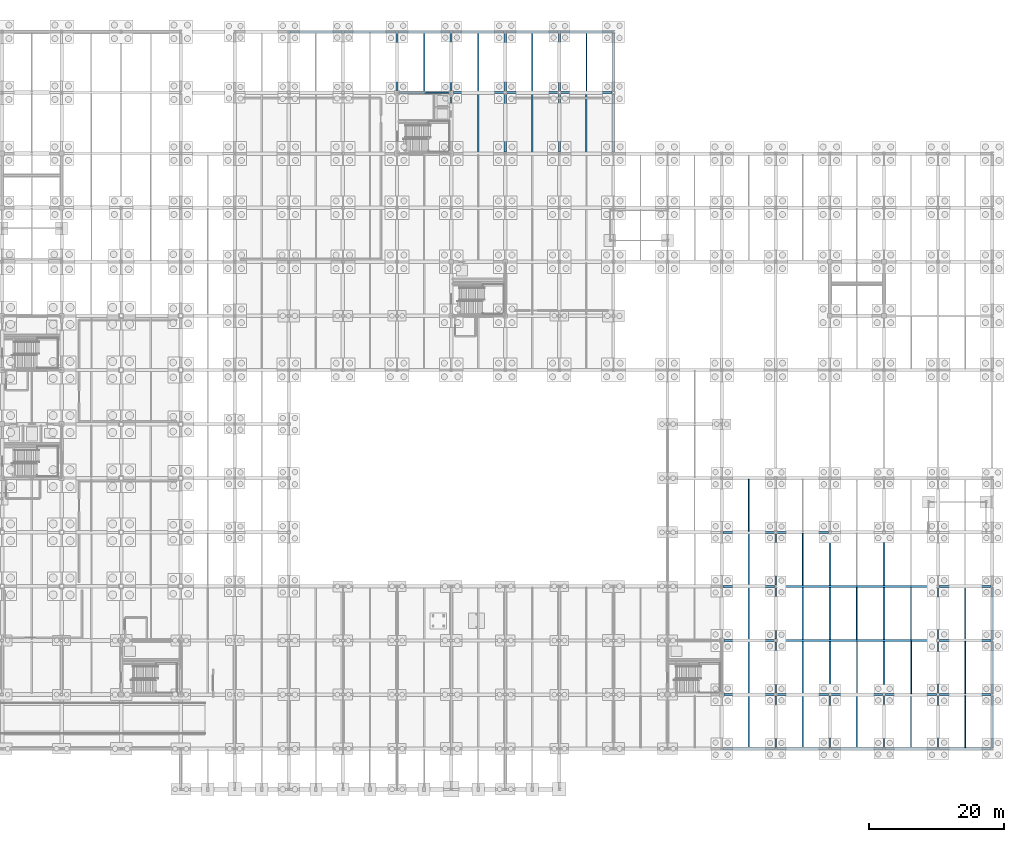
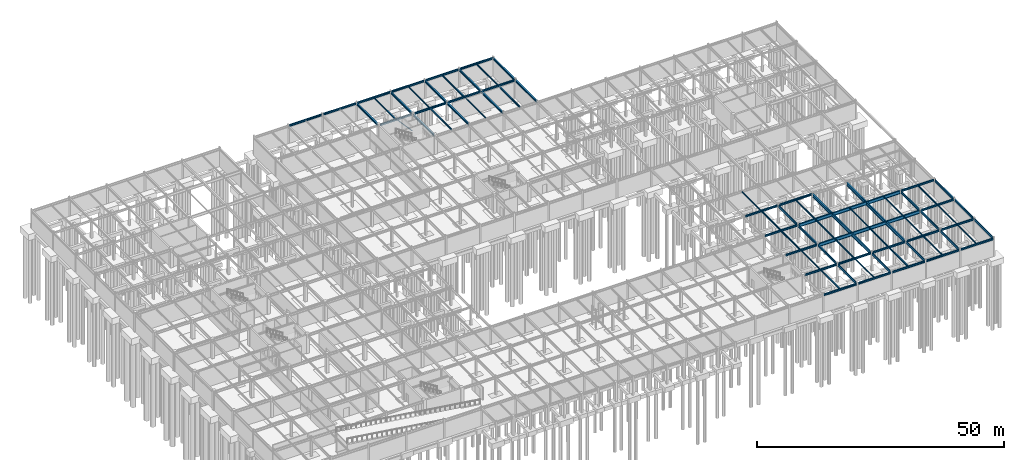
# One storey, part 39 of 72: 76 beams, 1 member.
"""IFC4 building model written with IfcOpenShell, lengths in metres."""

from ifc_helpers import new_model, si_unit, direction, frame, origin, origin_2d, place, context, subcontext, project, spatial, hollow_circle, i_section, extrude, material, material_profile, profile_set, type_object, element, save


model = new_model("IFC4")

# Units and contexts
model_context = context("Model", 3, precision=1e-05, world=origin(), true_north=direction((0.0, 1.0)))
body_context = subcontext(model_context, "Body", "Model", "MODEL_VIEW")
ifc_project = project(units=[si_unit("LENGTHUNIT", "METRE"), si_unit("AREAUNIT", "SQUARE_METRE"), si_unit("VOLUMEUNIT", "CUBIC_METRE"), si_unit("PLANEANGLEUNIT", "RADIAN"), si_unit("MASSUNIT", "GRAM", prefix="KILO")], contexts=[model_context])

# Site, building, storey
site_placement = place(None, origin())
site = spatial("IfcSite", under=ifc_project, at=site_placement, CompositionType="ELEMENT")
building_placement = place(site_placement, origin())
building = spatial("IfcBuilding", under=site, at=building_placement, Name="Zhaolan Boulevard Law Courts", CompositionType="ELEMENT")
storey_placement = place(building_placement, frame((0.0, 0.0, -4.800048828125)))
storey = spatial("IfcBuildingStorey", under=building, at=storey_placement, Name="B1", CompositionType="ELEMENT", Elevation=-4.800048828125)

# Member
ifc_material_1 = material(Name="Structural steel Q355B", Category="steel")
ifc_material_profile_1 = material_profile(ifc_material_1, hollow_circle(Radius=0.109619140625, WallThickness=0.008056640625, at=origin_2d()), Name="CHS219x8")
ifc_profile_set_1 = profile_set([ifc_material_profile_1], Name="Structural steel Q355B")
member_type = type_object("IfcMemberType", Name="BRACE CHS219", PredefinedType="BRACE", material=ifc_profile_set_1)
member_placement = place(storey_placement, frame((83.820068359375, 103.0, 0.199951171875), z_axis=(-0.662424974315, 0.0, 0.749128262318), x_axis=(0.0, -1.0, 0.0)))
element("IfcMember", 1, at=member_placement, inside=storey, type_object=member_type, Name="Core Brace BR-C1-B1-N2", PredefinedType="BRACE", context=body_context, shape_type="SweptSolid", body=[
    extrude(hollow_circle(Radius=0.109619140625, WallThickness=0.008056640625, at=origin_2d()), origin(), (0.0, 0.0, 1.0), 5.766845703125),
])

# Beams
ifc_material_2 = material(Name="Structural steel Q355B", Category="steel")
ifc_material_profile_2 = material_profile(ifc_material_2, i_section(OverallWidth=0.300048828125, OverallDepth=0.43994140625, WebThickness=0.010986328125, FlangeThickness=0.01806640625, FilletRadius=0.02001953125, at=origin_2d()), Name="HM440x300")
ifc_profile_set_2 = profile_set([ifc_material_profile_2], Name="Structural steel Q355B")
beam_type_1 = type_object("IfcBeamType", Name="GIRDER HM440", PredefinedType="BEAM", material=ifc_profile_set_2)
for number, where, z_axis, x_axis, name in (
    (2, (124.1708984375, 6.0, 4.278076171875), (1.0, 0.0, 0.0), (0.0, 1.0, 0.0), "Beam BX-L00-16-17-B"),
    (3, (132.1708984375, 6.0, 4.278076171875), (1.0, 0.0, 0.0), (0.0, 1.0, 0.0), "Beam BX-L00-17-18-B"),
    (4, (140.1708984375, 6.0, 4.278076171875), (1.0, 0.0, 0.0), (0.0, 1.0, 0.0), "Beam BX-L00-18-19-B"),
    (5, (148.1708984375, 6.0, 4.278076171875), (1.0, 0.0, 0.0), (0.0, 1.0, 0.0), "Beam BX-L00-19-20-B"),
    (6, (156.1708984375, 6.0, 4.278076171875), (1.0, 0.0, 0.0), (0.0, 1.0, 0.0), "Beam BX-L00-20-21-B"),
):
    element("IfcBeam", number, at=place(storey_placement, frame(where, z_axis=z_axis, x_axis=x_axis)), inside=storey, type_object=beam_type_1, Name=name, PredefinedType="BEAM", context=body_context, shape_type="SweptSolid", body=[
        extrude(i_section(OverallWidth=0.300048828125, OverallDepth=0.43994140625, WebThickness=0.010986328125, FlangeThickness=0.01806640625, FilletRadius=0.02001953125, at=origin_2d()), origin(), (0.0, 0.0, 1.0), 7.658203125),
    ])
beam_1_placement = place(storey_placement, frame((124.345947265625, 14.0, 4.278076171875), z_axis=(1.0, 0.0, 0.0), x_axis=(0.0, 1.0, 0.0)))
element("IfcBeam", 7, at=beam_1_placement, inside=storey, type_object=beam_type_1, Name="Beam BX-L00-16-17-C", PredefinedType="BEAM", context=body_context, shape_type="SweptSolid", body=[
    extrude(i_section(OverallWidth=0.300048828125, OverallDepth=0.43994140625, WebThickness=0.010986328125, FlangeThickness=0.01806640625, FilletRadius=0.02001953125, at=origin_2d()), origin(), (0.0, 0.0, 1.0), 7.4580078125),
])
for number, where, z_axis, x_axis, name in (
    (8, (132.196044921875, 14.0, 4.278076171875), (1.0, 0.0, 0.0), (0.0, 1.0, 0.0), "Beam BX-L00-17-18-C"),
    (9, (140.196044921875, 14.0, 4.278076171875), (1.0, 0.0, 0.0), (0.0, 1.0, 0.0), "Beam BX-L00-18-19-C"),
    (10, (148.196044921875, 14.0, 4.278076171875), (1.0, 0.0, 0.0), (0.0, 1.0, 0.0), "Beam BX-L00-19-20-C"),
):
    element("IfcBeam", number, at=place(storey_placement, frame(where, z_axis=z_axis, x_axis=x_axis)), inside=storey, type_object=beam_type_1, Name=name, PredefinedType="BEAM", context=body_context, shape_type="SweptSolid", body=[
        extrude(i_section(OverallWidth=0.300048828125, OverallDepth=0.43994140625, WebThickness=0.010986328125, FlangeThickness=0.01806640625, FilletRadius=0.02001953125, at=origin_2d()), origin(), (0.0, 0.0, 1.0), 7.60791015625),
    ])
beam_2_placement = place(storey_placement, frame((156.196044921875, 14.0, 4.278076171875), z_axis=(1.0, 0.0, 0.0), x_axis=(0.0, 1.0, 0.0)))
element("IfcBeam", 11, at=beam_2_placement, inside=storey, type_object=beam_type_1, Name="Beam BX-L00-20-21-C", PredefinedType="BEAM", context=body_context, shape_type="SweptSolid", body=[
    extrude(i_section(OverallWidth=0.300048828125, OverallDepth=0.43994140625, WebThickness=0.010986328125, FlangeThickness=0.01806640625, FilletRadius=0.02001953125, at=origin_2d()), origin(), (0.0, 0.0, 1.0), 7.633056640625),
])
beam_3_placement = place(storey_placement, frame((124.345947265625, 22.0, 4.278076171875), z_axis=(1.0, 0.0, 0.0), x_axis=(0.0, 1.0, 0.0)))
element("IfcBeam", 12, at=beam_3_placement, inside=storey, type_object=beam_type_1, Name="Beam BX-L00-16-17-D", PredefinedType="BEAM", context=body_context, shape_type="SweptSolid", body=[
    extrude(i_section(OverallWidth=0.300048828125, OverallDepth=0.43994140625, WebThickness=0.010986328125, FlangeThickness=0.01806640625, FilletRadius=0.02001953125, at=origin_2d()), origin(), (0.0, 0.0, 1.0), 7.4580078125),
])
beam_4_placement = place(storey_placement, frame((156.196044921875, 22.0, 4.278076171875), z_axis=(1.0, 0.0, 0.0), x_axis=(0.0, 1.0, 0.0)))
element("IfcBeam", 13, at=beam_4_placement, inside=storey, type_object=beam_type_1, Name="Beam BX-L00-20-21-D", PredefinedType="BEAM", context=body_context, shape_type="SweptSolid", body=[
    extrude(i_section(OverallWidth=0.300048828125, OverallDepth=0.43994140625, WebThickness=0.010986328125, FlangeThickness=0.01806640625, FilletRadius=0.02001953125, at=origin_2d()), origin(), (0.0, 0.0, 1.0), 7.633056640625),
])
for number, where, z_axis, x_axis, name in (
    (14, (124.1708984375, 30.0, 4.278076171875), (1.0, 0.0, 0.0), (0.0, 1.0, 0.0), "Beam BX-L00-16-17-E"),
    (15, (156.1708984375, 30.0, 4.278076171875), (1.0, 0.0, 0.0), (0.0, 1.0, 0.0), "Beam BX-L00-20-21-E"),
):
    element("IfcBeam", number, at=place(storey_placement, frame(where, z_axis=z_axis, x_axis=x_axis)), inside=storey, type_object=beam_type_1, Name=name, PredefinedType="BEAM", context=body_context, shape_type="SweptSolid", body=[
        extrude(i_section(OverallWidth=0.300048828125, OverallDepth=0.43994140625, WebThickness=0.010986328125, FlangeThickness=0.01806640625, FilletRadius=0.02001953125, at=origin_2d()), origin(), (0.0, 0.0, 1.0), 7.658203125),
    ])
beam_5_placement = place(storey_placement, frame((124.1708984375, 38.0, 4.278076171875), z_axis=(1.0, 0.0, 0.0), x_axis=(0.0, 1.0, 0.0)))
element("IfcBeam", 16, at=beam_5_placement, inside=storey, type_object=beam_type_1, Name="Beam BX-L00-16-17-F", PredefinedType="BEAM", context=body_context, shape_type="SweptSolid", body=[
    extrude(i_section(OverallWidth=0.300048828125, OverallDepth=0.43994140625, WebThickness=0.010986328125, FlangeThickness=0.01806640625, FilletRadius=0.02001953125, at=origin_2d()), origin(), (0.0, 0.0, 1.0), 7.633056640625),
])
beam_6_placement = place(storey_placement, frame((132.196044921875, 38.0, 4.278076171875), z_axis=(1.0, 0.0, 0.0), x_axis=(0.0, 1.0, 0.0)))
element("IfcBeam", 17, at=beam_6_placement, inside=storey, type_object=beam_type_1, Name="Beam BX-L00-17-18-F", PredefinedType="BEAM", context=body_context, shape_type="SweptSolid", body=[
    extrude(i_section(OverallWidth=0.300048828125, OverallDepth=0.43994140625, WebThickness=0.010986328125, FlangeThickness=0.01806640625, FilletRadius=0.02001953125, at=origin_2d()), origin(), (0.0, 0.0, 1.0), 7.60791015625),
])
beam_7_placement = place(storey_placement, frame((76.345947265625, 103.0, 4.278076171875), z_axis=(1.0, 0.0, 0.0), x_axis=(0.0, 1.0, 0.0)))
element("IfcBeam", 18, at=beam_7_placement, inside=storey, type_object=beam_type_1, Name="Beam BX-L00-10-11-P", PredefinedType="BEAM", context=body_context, shape_type="SweptSolid", body=[
    extrude(i_section(OverallWidth=0.300048828125, OverallDepth=0.43994140625, WebThickness=0.010986328125, FlangeThickness=0.01806640625, FilletRadius=0.02001953125, at=origin_2d()), origin(), (0.0, 0.0, 1.0), 7.30810546875),
])
beam_8_placement = place(storey_placement, frame((84.345947265625, 103.0, 4.278076171875), z_axis=(1.0, 0.0, 0.0), x_axis=(0.0, 1.0, 0.0)))
element("IfcBeam", 19, at=beam_8_placement, inside=storey, type_object=beam_type_1, Name="Beam BX-L00-11-12-P", PredefinedType="BEAM", context=body_context, shape_type="SweptSolid", body=[
    extrude(i_section(OverallWidth=0.300048828125, OverallDepth=0.43994140625, WebThickness=0.010986328125, FlangeThickness=0.01806640625, FilletRadius=0.02001953125, at=origin_2d()), origin(), (0.0, 0.0, 1.0), 7.4580078125),
])
for number, where, z_axis, x_axis, name in (
    (20, (92.196044921875, 103.0, 4.278076171875), (1.0, 0.0, 0.0), (0.0, 1.0, 0.0), "Beam BX-L00-12-13-P"),
    (21, (100.196044921875, 103.0, 4.278076171875), (1.0, 0.0, 0.0), (0.0, 1.0, 0.0), "Beam BX-L00-13-14-P"),
):
    element("IfcBeam", number, at=place(storey_placement, frame(where, z_axis=z_axis, x_axis=x_axis)), inside=storey, type_object=beam_type_1, Name=name, PredefinedType="BEAM", context=body_context, shape_type="SweptSolid", body=[
        extrude(i_section(OverallWidth=0.300048828125, OverallDepth=0.43994140625, WebThickness=0.010986328125, FlangeThickness=0.01806640625, FilletRadius=0.02001953125, at=origin_2d()), origin(), (0.0, 0.0, 1.0), 7.60791015625),
    ])
for number, where, z_axis, x_axis, name in (
    (22, (60.1708984375, 112.0, 4.278076171875), (1.0, 0.0, 0.0), (0.0, 1.0, 0.0), "Beam BX-L00-8-9-Q"),
    (23, (68.1708984375, 112.0, 4.278076171875), (1.0, 0.0, 0.0), (0.0, 1.0, 0.0), "Beam BX-L00-9-10-Q"),
    (24, (76.1708984375, 112.0, 4.278076171875), (1.0, 0.0, 0.0), (0.0, 1.0, 0.0), "Beam BX-L00-10-11-Q"),
    (25, (84.1708984375, 112.0, 4.278076171875), (1.0, 0.0, 0.0), (0.0, 1.0, 0.0), "Beam BX-L00-11-12-Q"),
    (26, (92.1708984375, 112.0, 4.278076171875), (1.0, 0.0, 0.0), (0.0, 1.0, 0.0), "Beam BX-L00-12-13-Q"),
    (27, (100.1708984375, 112.0, 4.278076171875), (1.0, 0.0, 0.0), (0.0, 1.0, 0.0), "Beam BX-L00-13-14-Q"),
):
    element("IfcBeam", number, at=place(storey_placement, frame(where, z_axis=z_axis, x_axis=x_axis)), inside=storey, type_object=beam_type_1, Name=name, PredefinedType="BEAM", context=body_context, shape_type="SweptSolid", body=[
        extrude(i_section(OverallWidth=0.300048828125, OverallDepth=0.43994140625, WebThickness=0.010986328125, FlangeThickness=0.01806640625, FilletRadius=0.02001953125, at=origin_2d()), origin(), (0.0, 0.0, 1.0), 7.658203125),
    ])
ifc_material_3 = material(Name="Structural steel Q355B", Category="steel")
ifc_material_profile_3 = material_profile(ifc_material_3, i_section(OverallWidth=0.300048828125, OverallDepth=0.48193359375, WebThickness=0.010986328125, FlangeThickness=0.014892578125, FilletRadius=0.02197265625, at=origin_2d()), Name="HM482x300")
ifc_profile_set_3 = profile_set([ifc_material_profile_3], Name="Structural steel Q355B")
beam_type_2 = type_object("IfcBeamType", Name="GIRDER HM488", PredefinedType="BEAM", material=ifc_profile_set_3)
beam_9_placement = place(storey_placement, frame((76.0, 103.345947265625, 4.257080078125), z_axis=(0.0, 1.0, 0.0), x_axis=(-1.0, 0.0, 0.0)))
element("IfcBeam", 28, at=beam_9_placement, inside=storey, type_object=beam_type_2, Name="Beam BY-L00-10-P-Q", PredefinedType="BEAM", context=body_context, shape_type="SweptSolid", body=[
    extrude(i_section(OverallWidth=0.300048828125, OverallDepth=0.48193359375, WebThickness=0.010986328125, FlangeThickness=0.014892578125, FilletRadius=0.02197265625, at=origin_2d()), origin(), (0.0, 0.0, 1.0), 8.483154296875),
])
beam_10_placement = place(storey_placement, frame((84.0, 94.345947265625, 4.257080078125), z_axis=(0.0, 1.0, 0.0), x_axis=(-1.0, 0.0, 0.0)))
element("IfcBeam", 29, at=beam_10_placement, inside=storey, type_object=beam_type_2, Name="Beam BY-L00-11-N-P", PredefinedType="BEAM", context=body_context, shape_type="SweptSolid", body=[
    extrude(i_section(OverallWidth=0.300048828125, OverallDepth=0.48193359375, WebThickness=0.010986328125, FlangeThickness=0.014892578125, FilletRadius=0.02197265625, at=origin_2d()), origin(), (0.0, 0.0, 1.0), 8.30810546875),
])
beam_11_placement = place(storey_placement, frame((84.0, 103.345947265625, 4.257080078125), z_axis=(0.0, 1.0, 0.0), x_axis=(-1.0, 0.0, 0.0)))
element("IfcBeam", 30, at=beam_11_placement, inside=storey, type_object=beam_type_2, Name="Beam BY-L00-11-P-Q", PredefinedType="BEAM", context=body_context, shape_type="SweptSolid", body=[
    extrude(i_section(OverallWidth=0.300048828125, OverallDepth=0.48193359375, WebThickness=0.010986328125, FlangeThickness=0.014892578125, FilletRadius=0.02197265625, at=origin_2d()), origin(), (0.0, 0.0, 1.0), 8.483154296875),
])
beam_12_placement = place(storey_placement, frame((92.0, 94.196044921875, 4.257080078125), z_axis=(0.0, 1.0, 0.0), x_axis=(-1.0, 0.0, 0.0)))
element("IfcBeam", 31, at=beam_12_placement, inside=storey, type_object=beam_type_2, Name="Beam BY-L00-12-N-P", PredefinedType="BEAM", context=body_context, shape_type="SweptSolid", body=[
    extrude(i_section(OverallWidth=0.300048828125, OverallDepth=0.48193359375, WebThickness=0.010986328125, FlangeThickness=0.014892578125, FilletRadius=0.02197265625, at=origin_2d()), origin(), (0.0, 0.0, 1.0), 8.60791015625),
])
beam_13_placement = place(storey_placement, frame((92.0, 103.196044921875, 4.257080078125), z_axis=(0.0, 1.0, 0.0), x_axis=(-1.0, 0.0, 0.0)))
element("IfcBeam", 32, at=beam_13_placement, inside=storey, type_object=beam_type_2, Name="Beam BY-L00-12-P-Q", PredefinedType="BEAM", context=body_context, shape_type="SweptSolid", body=[
    extrude(i_section(OverallWidth=0.300048828125, OverallDepth=0.48193359375, WebThickness=0.010986328125, FlangeThickness=0.014892578125, FilletRadius=0.02197265625, at=origin_2d()), origin(), (0.0, 0.0, 1.0), 8.633056640625),
])
beam_14_placement = place(storey_placement, frame((100.0, 94.196044921875, 4.257080078125), z_axis=(0.0, 1.0, 0.0), x_axis=(-1.0, 0.0, 0.0)))
element("IfcBeam", 33, at=beam_14_placement, inside=storey, type_object=beam_type_2, Name="Beam BY-L00-13-N-P", PredefinedType="BEAM", context=body_context, shape_type="SweptSolid", body=[
    extrude(i_section(OverallWidth=0.300048828125, OverallDepth=0.48193359375, WebThickness=0.010986328125, FlangeThickness=0.014892578125, FilletRadius=0.02197265625, at=origin_2d()), origin(), (0.0, 0.0, 1.0), 8.60791015625),
])
beam_15_placement = place(storey_placement, frame((100.0, 103.196044921875, 4.257080078125), z_axis=(0.0, 1.0, 0.0), x_axis=(-1.0, 0.0, 0.0)))
element("IfcBeam", 34, at=beam_15_placement, inside=storey, type_object=beam_type_2, Name="Beam BY-L00-13-P-Q", PredefinedType="BEAM", context=body_context, shape_type="SweptSolid", body=[
    extrude(i_section(OverallWidth=0.300048828125, OverallDepth=0.48193359375, WebThickness=0.010986328125, FlangeThickness=0.014892578125, FilletRadius=0.02197265625, at=origin_2d()), origin(), (0.0, 0.0, 1.0), 8.633056640625),
])
beam_16_placement = place(storey_placement, frame((108.0, 94.196044921875, 4.257080078125), z_axis=(0.0, 1.0, 0.0), x_axis=(-1.0, 0.0, 0.0)))
element("IfcBeam", 35, at=beam_16_placement, inside=storey, type_object=beam_type_2, Name="Beam BY-L00-14-N-P", PredefinedType="BEAM", context=body_context, shape_type="SweptSolid", body=[
    extrude(i_section(OverallWidth=0.300048828125, OverallDepth=0.48193359375, WebThickness=0.010986328125, FlangeThickness=0.014892578125, FilletRadius=0.02197265625, at=origin_2d()), origin(), (0.0, 0.0, 1.0), 8.60791015625),
])
beam_17_placement = place(storey_placement, frame((108.0, 103.196044921875, 4.257080078125), z_axis=(0.0, 1.0, 0.0), x_axis=(-1.0, 0.0, 0.0)))
element("IfcBeam", 36, at=beam_17_placement, inside=storey, type_object=beam_type_2, Name="Beam BY-L00-14-P-Q", PredefinedType="BEAM", context=body_context, shape_type="SweptSolid", body=[
    extrude(i_section(OverallWidth=0.300048828125, OverallDepth=0.48193359375, WebThickness=0.010986328125, FlangeThickness=0.014892578125, FilletRadius=0.02197265625, at=origin_2d()), origin(), (0.0, 0.0, 1.0), 8.633056640625),
])
ifc_material_4 = material(Name="Structural steel Q355B", Category="steel")
ifc_material_profile_4 = material_profile(ifc_material_4, i_section(OverallWidth=0.199951171875, OverallDepth=0.60009765625, WebThickness=0.010986328125, FlangeThickness=0.01708984375, FilletRadius=0.02001953125, at=origin_2d()), Name="HN600x200")
ifc_profile_set_4 = profile_set([ifc_material_profile_4], Name="Structural steel Q355B")
beam_type_3 = type_object("IfcBeamType", Name="GIRDER HN600", PredefinedType="BEAM", material=ifc_profile_set_4)
beam_18_placement = place(storey_placement, frame((132.0, 6.1708984375, 4.197998046875), z_axis=(0.0, 1.0, 0.0), x_axis=(-1.0, 0.0, 0.0)))
element("IfcBeam", 37, at=beam_18_placement, inside=storey, type_object=beam_type_3, Name="Beam BY-L00-17-B-C", PredefinedType="BEAM", context=body_context, shape_type="SweptSolid", body=[
    extrude(i_section(OverallWidth=0.199951171875, OverallDepth=0.60009765625, WebThickness=0.010986328125, FlangeThickness=0.01708984375, FilletRadius=0.02001953125, at=origin_2d()), origin(), (0.0, 0.0, 1.0), 7.633056640625),
])
beam_19_placement = place(storey_placement, frame((132.0, 14.196044921875, 4.197998046875), z_axis=(0.0, 1.0, 0.0), x_axis=(-1.0, 0.0, 0.0)))
element("IfcBeam", 38, at=beam_19_placement, inside=storey, type_object=beam_type_3, Name="Beam BY-L00-17-C-D", PredefinedType="BEAM", context=body_context, shape_type="SweptSolid", body=[
    extrude(i_section(OverallWidth=0.199951171875, OverallDepth=0.60009765625, WebThickness=0.010986328125, FlangeThickness=0.01708984375, FilletRadius=0.02001953125, at=origin_2d()), origin(), (0.0, 0.0, 1.0), 7.60791015625),
])
for number, where, z_axis, x_axis, name in (
    (39, (132.0, 22.196044921875, 4.197998046875), (0.0, 1.0, 0.0), (-1.0, 0.0, 0.0), "Beam BY-L00-17-D-E"),
    (40, (132.0, 30.1708984375, 4.197998046875), (0.0, 1.0, 0.0), (-1.0, 0.0, 0.0), "Beam BY-L00-17-E-F"),
    (41, (140.0, 6.1708984375, 4.197998046875), (0.0, 1.0, 0.0), (-1.0, 0.0, 0.0), "Beam BY-L00-18-B-C"),
    (42, (148.0, 6.1708984375, 4.197998046875), (0.0, 1.0, 0.0), (-1.0, 0.0, 0.0), "Beam BY-L00-19-B-C"),
    (43, (156.0, 6.1708984375, 4.197998046875), (0.0, 1.0, 0.0), (-1.0, 0.0, 0.0), "Beam BY-L00-20-B-C"),
):
    element("IfcBeam", number, at=place(storey_placement, frame(where, z_axis=z_axis, x_axis=x_axis)), inside=storey, type_object=beam_type_3, Name=name, PredefinedType="BEAM", context=body_context, shape_type="SweptSolid", body=[
        extrude(i_section(OverallWidth=0.199951171875, OverallDepth=0.60009765625, WebThickness=0.010986328125, FlangeThickness=0.01708984375, FilletRadius=0.02001953125, at=origin_2d()), origin(), (0.0, 0.0, 1.0), 7.633056640625),
    ])
beam_20_placement = place(storey_placement, frame((156.0, 14.196044921875, 4.197998046875), z_axis=(0.0, 1.0, 0.0), x_axis=(-1.0, 0.0, 0.0)))
element("IfcBeam", 44, at=beam_20_placement, inside=storey, type_object=beam_type_3, Name="Beam BY-L00-20-C-D", PredefinedType="BEAM", context=body_context, shape_type="SweptSolid", body=[
    extrude(i_section(OverallWidth=0.199951171875, OverallDepth=0.60009765625, WebThickness=0.010986328125, FlangeThickness=0.01708984375, FilletRadius=0.02001953125, at=origin_2d()), origin(), (0.0, 0.0, 1.0), 7.60791015625),
])
beam_21_placement = place(storey_placement, frame((156.0, 22.196044921875, 4.197998046875), z_axis=(0.0, 1.0, 0.0), x_axis=(-1.0, 0.0, 0.0)))
element("IfcBeam", 45, at=beam_21_placement, inside=storey, type_object=beam_type_3, Name="Beam BY-L00-20-D-E", PredefinedType="BEAM", context=body_context, shape_type="SweptSolid", body=[
    extrude(i_section(OverallWidth=0.199951171875, OverallDepth=0.60009765625, WebThickness=0.010986328125, FlangeThickness=0.01708984375, FilletRadius=0.02001953125, at=origin_2d()), origin(), (0.0, 0.0, 1.0), 7.633056640625),
])
for number, where, z_axis, x_axis, name in (
    (46, (164.0, 6.1708984375, 4.197998046875), (0.0, 1.0, 0.0), (-1.0, 0.0, 0.0), "Beam BY-L00-21-B-C"),
    (47, (164.0, 14.1708984375, 4.197998046875), (0.0, 1.0, 0.0), (-1.0, 0.0, 0.0), "Beam BY-L00-21-C-D"),
    (48, (164.0, 22.1708984375, 4.197998046875), (0.0, 1.0, 0.0), (-1.0, 0.0, 0.0), "Beam BY-L00-21-D-E"),
):
    element("IfcBeam", number, at=place(storey_placement, frame(where, z_axis=z_axis, x_axis=x_axis)), inside=storey, type_object=beam_type_3, Name=name, PredefinedType="BEAM", context=body_context, shape_type="SweptSolid", body=[
        extrude(i_section(OverallWidth=0.199951171875, OverallDepth=0.60009765625, WebThickness=0.010986328125, FlangeThickness=0.01708984375, FilletRadius=0.02001953125, at=origin_2d()), origin(), (0.0, 0.0, 1.0), 7.658203125),
    ])
ifc_material_5 = material(Name="Structural steel Q390B", Category="steel")
ifc_material_profile_5 = material_profile(ifc_material_5, i_section(OverallWidth=0.300048828125, OverallDepth=0.800048828125, WebThickness=0.013916015625, FlangeThickness=0.02587890625, FilletRadius=0.02392578125, at=origin_2d()), Name="HN800x300")
ifc_profile_set_5 = profile_set([ifc_material_profile_5], Name="Structural steel Q390B")
beam_type_4 = type_object("IfcBeamType", Name="GIRDER HN800", PredefinedType="BEAM", material=ifc_profile_set_5)
beam_22_placement = place(storey_placement, frame((132.196044921875, 22.0, 4.09814453125), z_axis=(1.0, 0.0, 0.0), x_axis=(0.0, 1.0, 0.0)))
element("IfcBeam", 49, at=beam_22_placement, inside=storey, type_object=beam_type_4, Name="Beam BX-L00-17-20-D", PredefinedType="BEAM", context=body_context, shape_type="SweptSolid", body=[
    extrude(i_section(OverallWidth=0.300048828125, OverallDepth=0.800048828125, WebThickness=0.013916015625, FlangeThickness=0.02587890625, FilletRadius=0.02392578125, at=origin_2d()), origin(), (0.0, 0.0, 1.0), 23.60791015625),
])
beam_23_placement = place(storey_placement, frame((132.1708984375, 30.0, 4.09814453125), z_axis=(1.0, 0.0, 0.0), x_axis=(0.0, 1.0, 0.0)))
element("IfcBeam", 50, at=beam_23_placement, inside=storey, type_object=beam_type_4, Name="Beam BX-L00-17-20-E", PredefinedType="BEAM", context=body_context, shape_type="SweptSolid", body=[
    extrude(i_section(OverallWidth=0.300048828125, OverallDepth=0.800048828125, WebThickness=0.013916015625, FlangeThickness=0.02587890625, FilletRadius=0.02392578125, at=origin_2d()), origin(), (0.0, 0.0, 1.0), 23.658203125),
])
for number, where, z_axis, x_axis, name in (
    (51, (140.0, 14.196044921875, 4.09814453125), (0.0, 1.0, 0.0), (-1.0, 0.0, 0.0), "Beam BY-L00-18-C-F"),
    (52, (148.0, 14.196044921875, 4.09814453125), (0.0, 1.0, 0.0), (-1.0, 0.0, 0.0), "Beam BY-L00-19-C-F"),
):
    element("IfcBeam", number, at=place(storey_placement, frame(where, z_axis=z_axis, x_axis=x_axis)), inside=storey, type_object=beam_type_4, Name=name, PredefinedType="BEAM", context=body_context, shape_type="SweptSolid", body=[
        extrude(i_section(OverallWidth=0.300048828125, OverallDepth=0.800048828125, WebThickness=0.013916015625, FlangeThickness=0.02587890625, FilletRadius=0.02392578125, at=origin_2d()), origin(), (0.0, 0.0, 1.0), 23.60791015625),
    ])
ifc_material_6 = material(Name="Structural steel Q355B", Category="steel")
ifc_material_profile_6 = material_profile(ifc_material_6, i_section(OverallWidth=0.175048828125, OverallDepth=0.243896484375, WebThickness=0.007080078125, FlangeThickness=0.010986328125, FilletRadius=0.012939453125, at=origin_2d()), Name="HM244x175")
ifc_profile_set_6 = profile_set([ifc_material_profile_6], Name="Structural steel Q355B")
beam_type_5 = type_object("IfcBeamType", Name="JOIST HM244", PredefinedType="JOIST", material=ifc_profile_set_6)
for number, where, z_axis, x_axis, name in (
    (53, (88.0, 103.14599609375, 4.3759765625), (0.0, 1.0, 0.0), (-1.0, 0.0, 0.0), "Composite Joist J-L00-11P"),
    (54, (96.0, 94.14599609375, 4.3759765625), (0.0, 1.0, 0.0), (-1.0, 0.0, 0.0), "Composite Joist J-L00-12N"),
):
    element("IfcBeam", number, at=place(storey_placement, frame(where, z_axis=z_axis, x_axis=x_axis)), inside=storey, type_object=beam_type_5, Name=name, PredefinedType="JOIST", context=body_context, shape_type="SweptSolid", body=[
        extrude(i_section(OverallWidth=0.175048828125, OverallDepth=0.243896484375, WebThickness=0.007080078125, FlangeThickness=0.010986328125, FilletRadius=0.012939453125, at=origin_2d()), origin(), (0.0, 0.0, 1.0), 8.7080078125),
    ])
for number, where, z_axis, x_axis, name in (
    (55, (128.0, 14.14599609375, 4.3759765625), (0.0, 1.0, 0.0), (-1.0, 0.0, 0.0), "Composite Joist J-L00-16C"),
    (56, (136.0, 6.14599609375, 4.3759765625), (0.0, 1.0, 0.0), (-1.0, 0.0, 0.0), "Composite Joist J-L00-17B"),
):
    element("IfcBeam", number, at=place(storey_placement, frame(where, z_axis=z_axis, x_axis=x_axis)), inside=storey, type_object=beam_type_5, Name=name, PredefinedType="JOIST", context=body_context, shape_type="SweptSolid", body=[
        extrude(i_section(OverallWidth=0.175048828125, OverallDepth=0.243896484375, WebThickness=0.007080078125, FlangeThickness=0.010986328125, FilletRadius=0.012939453125, at=origin_2d()), origin(), (0.0, 0.0, 1.0), 7.7080078125),
    ])
ifc_material_7 = material(Name="Structural steel Q355B", Category="steel")
ifc_material_profile_7 = material_profile(ifc_material_7, i_section(OverallWidth=0.199951171875, OverallDepth=0.2939453125, WebThickness=0.008056640625, FlangeThickness=0.011962890625, FilletRadius=0.01611328125, at=origin_2d()), Name="HM294x200")
ifc_profile_set_7 = profile_set([ifc_material_profile_7], Name="Structural steel Q355B")
beam_type_6 = type_object("IfcBeamType", Name="JOIST HM294", PredefinedType="JOIST", material=ifc_profile_set_7)
for number, where, z_axis, x_axis, name in (
    (57, (80.0, 103.14599609375, 4.35107421875), (0.0, 1.0, 0.0), (-1.0, 0.0, 0.0), "Composite Joist J-L00-10P"),
    (58, (88.0, 94.14599609375, 4.35107421875), (0.0, 1.0, 0.0), (-1.0, 0.0, 0.0), "Composite Joist J-L00-11N"),
):
    element("IfcBeam", number, at=place(storey_placement, frame(where, z_axis=z_axis, x_axis=x_axis)), inside=storey, type_object=beam_type_6, Name=name, PredefinedType="JOIST", context=body_context, shape_type="SweptSolid", body=[
        extrude(i_section(OverallWidth=0.199951171875, OverallDepth=0.2939453125, WebThickness=0.008056640625, FlangeThickness=0.011962890625, FilletRadius=0.01611328125, at=origin_2d()), origin(), (0.0, 0.0, 1.0), 8.7080078125),
    ])
for number, where, z_axis, x_axis, name in (
    (59, (128.0, 6.14599609375, 4.35107421875), (0.0, 1.0, 0.0), (-1.0, 0.0, 0.0), "Composite Joist J-L00-16B"),
    (60, (160.0, 22.14599609375, 4.35107421875), (0.0, 1.0, 0.0), (-1.0, 0.0, 0.0), "Composite Joist J-L00-20D"),
):
    element("IfcBeam", number, at=place(storey_placement, frame(where, z_axis=z_axis, x_axis=x_axis)), inside=storey, type_object=beam_type_6, Name=name, PredefinedType="JOIST", context=body_context, shape_type="SweptSolid", body=[
        extrude(i_section(OverallWidth=0.199951171875, OverallDepth=0.2939453125, WebThickness=0.008056640625, FlangeThickness=0.011962890625, FilletRadius=0.01611328125, at=origin_2d()), origin(), (0.0, 0.0, 1.0), 7.7080078125),
    ])
ifc_material_8 = material(Name="Structural steel Q355B", Category="steel")
ifc_material_profile_8 = material_profile(ifc_material_8, i_section(OverallWidth=0.125, OverallDepth=0.25, WebThickness=0.006103515625, FlangeThickness=0.009033203125, FilletRadius=0.010009765625, at=origin_2d()), Name="HN250x125")
ifc_profile_set_8 = profile_set([ifc_material_profile_8], Name="Structural steel Q355B")
beam_type_7 = type_object("IfcBeamType", Name="JOIST HN250", PredefinedType="JOIST", material=ifc_profile_set_8)
for number, where, z_axis, x_axis, name in (
    (61, (152.0, 22.14599609375, 4.373046875), (0.0, 1.0, 0.0), (-1.0, 0.0, 0.0), "Composite Joist J-L00-19D"),
    (62, (160.0, 14.14599609375, 4.373046875), (0.0, 1.0, 0.0), (-1.0, 0.0, 0.0), "Composite Joist J-L00-20C"),
):
    element("IfcBeam", number, at=place(storey_placement, frame(where, z_axis=z_axis, x_axis=x_axis)), inside=storey, type_object=beam_type_7, Name=name, PredefinedType="JOIST", context=body_context, shape_type="SweptSolid", body=[
        extrude(i_section(OverallWidth=0.125, OverallDepth=0.25, WebThickness=0.006103515625, FlangeThickness=0.009033203125, FilletRadius=0.010009765625, at=origin_2d()), origin(), (0.0, 0.0, 1.0), 7.7080078125),
    ])
ifc_material_9 = material(Name="Structural steel Q355B", Category="steel")
ifc_material_profile_9 = material_profile(ifc_material_9, i_section(OverallWidth=0.14990234375, OverallDepth=0.300048828125, WebThickness=0.006591796875, FlangeThickness=0.009033203125, FilletRadius=0.010986328125, at=origin_2d()), Name="HN300x150")
ifc_profile_set_9 = profile_set([ifc_material_profile_9], Name="Structural steel Q355B")
beam_type_8 = type_object("IfcBeamType", Name="JOIST HN300", PredefinedType="JOIST", material=ifc_profile_set_9)
for number, where, z_axis, x_axis, name in (
    (63, (128.0, 38.14599609375, 4.34814453125), (0.0, 1.0, 0.0), (-1.0, 0.0, 0.0), "Composite Joist J-L00-16F"),
    (64, (136.0, 30.14599609375, 4.34814453125), (0.0, 1.0, 0.0), (-1.0, 0.0, 0.0), "Composite Joist J-L00-17E"),
    (65, (144.0, 22.14599609375, 4.34814453125), (0.0, 1.0, 0.0), (-1.0, 0.0, 0.0), "Composite Joist J-L00-18D"),
    (66, (152.0, 14.14599609375, 4.34814453125), (0.0, 1.0, 0.0), (-1.0, 0.0, 0.0), "Composite Joist J-L00-19C"),
    (67, (160.0, 6.14599609375, 4.34814453125), (0.0, 1.0, 0.0), (-1.0, 0.0, 0.0), "Composite Joist J-L00-20B"),
):
    element("IfcBeam", number, at=place(storey_placement, frame(where, z_axis=z_axis, x_axis=x_axis)), inside=storey, type_object=beam_type_8, Name=name, PredefinedType="JOIST", context=body_context, shape_type="SweptSolid", body=[
        extrude(i_section(OverallWidth=0.14990234375, OverallDepth=0.300048828125, WebThickness=0.006591796875, FlangeThickness=0.009033203125, FilletRadius=0.010986328125, at=origin_2d()), origin(), (0.0, 0.0, 1.0), 7.7080078125),
    ])
ifc_material_10 = material(Name="Structural steel Q355B", Category="steel")
ifc_material_profile_10 = material_profile(ifc_material_10, i_section(OverallWidth=0.175048828125, OverallDepth=0.35009765625, WebThickness=0.007080078125, FlangeThickness=0.010986328125, FilletRadius=0.012939453125, at=origin_2d()), Name="HN350x175")
ifc_profile_set_10 = profile_set([ifc_material_profile_10], Name="Structural steel Q355B")
beam_type_9 = type_object("IfcBeamType", Name="JOIST HN350", PredefinedType="JOIST", material=ifc_profile_set_10)
beam_24_placement = place(storey_placement, frame((104.0, 103.14599609375, 4.322998046875), z_axis=(0.0, 1.0, 0.0), x_axis=(-1.0, 0.0, 0.0)))
element("IfcBeam", 68, at=beam_24_placement, inside=storey, type_object=beam_type_9, Name="Composite Joist J-L00-13P", PredefinedType="JOIST", context=body_context, shape_type="SweptSolid", body=[
    extrude(i_section(OverallWidth=0.175048828125, OverallDepth=0.35009765625, WebThickness=0.007080078125, FlangeThickness=0.010986328125, FilletRadius=0.012939453125, at=origin_2d()), origin(), (0.0, 0.0, 1.0), 8.7080078125),
])
for number, where, z_axis, x_axis, name in (
    (69, (128.0, 30.14599609375, 4.322998046875), (0.0, 1.0, 0.0), (-1.0, 0.0, 0.0), "Composite Joist J-L00-16E"),
    (70, (136.0, 22.14599609375, 4.322998046875), (0.0, 1.0, 0.0), (-1.0, 0.0, 0.0), "Composite Joist J-L00-17D"),
    (71, (144.0, 14.14599609375, 4.322998046875), (0.0, 1.0, 0.0), (-1.0, 0.0, 0.0), "Composite Joist J-L00-18C"),
    (72, (152.0, 6.14599609375, 4.322998046875), (0.0, 1.0, 0.0), (-1.0, 0.0, 0.0), "Composite Joist J-L00-19B"),
):
    element("IfcBeam", number, at=place(storey_placement, frame(where, z_axis=z_axis, x_axis=x_axis)), inside=storey, type_object=beam_type_9, Name=name, PredefinedType="JOIST", context=body_context, shape_type="SweptSolid", body=[
        extrude(i_section(OverallWidth=0.175048828125, OverallDepth=0.35009765625, WebThickness=0.007080078125, FlangeThickness=0.010986328125, FilletRadius=0.012939453125, at=origin_2d()), origin(), (0.0, 0.0, 1.0), 7.7080078125),
    ])
ifc_material_11 = material(Name="Structural steel Q355B", Category="steel")
ifc_material_profile_11 = material_profile(ifc_material_11, i_section(OverallWidth=0.199951171875, OverallDepth=0.39990234375, WebThickness=0.008056640625, FlangeThickness=0.012939453125, FilletRadius=0.013916015625, at=origin_2d()), Name="HN400x200")
ifc_profile_set_11 = profile_set([ifc_material_profile_11], Name="Structural steel Q355B")
beam_type_10 = type_object("IfcBeamType", Name="JOIST HN400", PredefinedType="JOIST", material=ifc_profile_set_11)
for number, where, z_axis, x_axis, name in (
    (73, (96.0, 103.14599609375, 4.298095703125), (0.0, 1.0, 0.0), (-1.0, 0.0, 0.0), "Composite Joist J-L00-12P"),
    (74, (104.0, 94.14599609375, 4.298095703125), (0.0, 1.0, 0.0), (-1.0, 0.0, 0.0), "Composite Joist J-L00-13N"),
):
    element("IfcBeam", number, at=place(storey_placement, frame(where, z_axis=z_axis, x_axis=x_axis)), inside=storey, type_object=beam_type_10, Name=name, PredefinedType="JOIST", context=body_context, shape_type="SweptSolid", body=[
        extrude(i_section(OverallWidth=0.199951171875, OverallDepth=0.39990234375, WebThickness=0.008056640625, FlangeThickness=0.012939453125, FilletRadius=0.013916015625, at=origin_2d()), origin(), (0.0, 0.0, 1.0), 8.7080078125),
    ])
for number, where, z_axis, x_axis, name in (
    (75, (128.0, 22.14599609375, 4.298095703125), (0.0, 1.0, 0.0), (-1.0, 0.0, 0.0), "Composite Joist J-L00-16D"),
    (76, (136.0, 14.14599609375, 4.298095703125), (0.0, 1.0, 0.0), (-1.0, 0.0, 0.0), "Composite Joist J-L00-17C"),
    (77, (144.0, 6.14599609375, 4.298095703125), (0.0, 1.0, 0.0), (-1.0, 0.0, 0.0), "Composite Joist J-L00-18B"),
):
    element("IfcBeam", number, at=place(storey_placement, frame(where, z_axis=z_axis, x_axis=x_axis)), inside=storey, type_object=beam_type_10, Name=name, PredefinedType="JOIST", context=body_context, shape_type="SweptSolid", body=[
        extrude(i_section(OverallWidth=0.199951171875, OverallDepth=0.39990234375, WebThickness=0.008056640625, FlangeThickness=0.012939453125, FilletRadius=0.013916015625, at=origin_2d()), origin(), (0.0, 0.0, 1.0), 7.7080078125),
    ])

save(model, "model.ifc")
